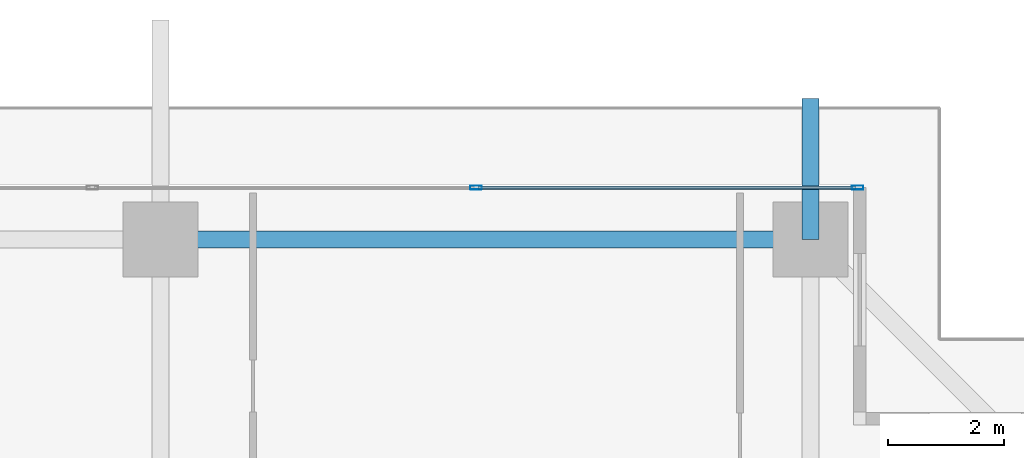
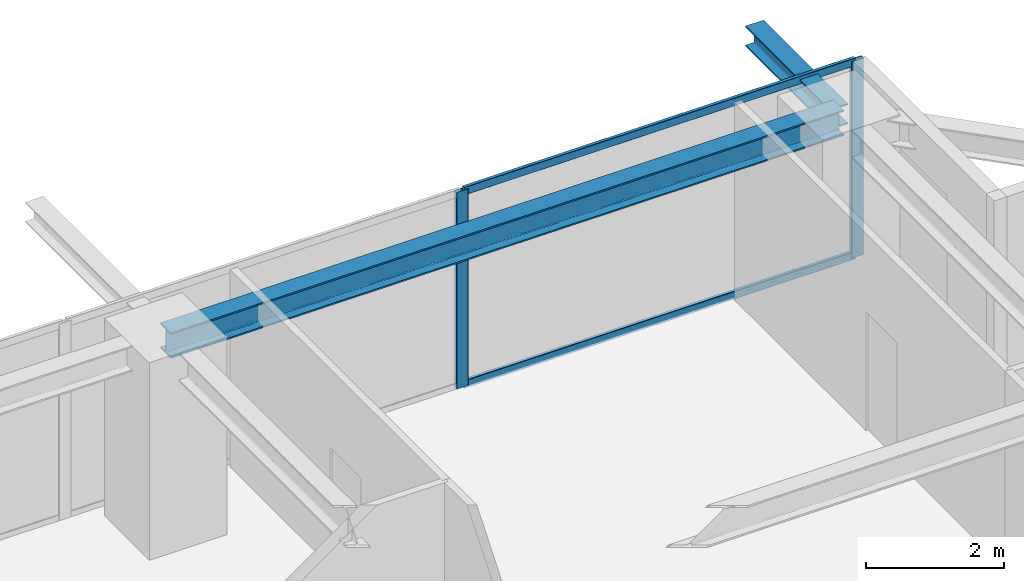
# One storey, part 25 of 37: 4 members, 2 beams, 1 element without a shape of its own.
"""IFC4 building model written with IfcOpenShell, lengths in metres."""

from ifc_helpers import new_model, si_unit, direction, frame, origin, origin_2d, place, context, subcontext, project, spatial, hollow_rectangle, i_section, extrude, source, transform, mapped, material, layer, layer_set, material_profile, profile_set, type_object, element, aggregate, save


model = new_model("IFC4")

# Units and contexts
model_context = context("Model", 3, precision=1e-05, world=origin(), true_north=direction((0.0, 1.0)))
body_context = subcontext(model_context, "Body", "Model", "MODEL_VIEW")
ifc_project = project(units=[si_unit("LENGTHUNIT", "METRE"), si_unit("AREAUNIT", "SQUARE_METRE"), si_unit("VOLUMEUNIT", "CUBIC_METRE"), si_unit("PLANEANGLEUNIT", "RADIAN"), si_unit("MASSUNIT", "GRAM", prefix="KILO")], contexts=[model_context])

# Site, building, storey
site_placement = place(None, origin())
site = spatial("IfcSite", under=ifc_project, at=site_placement, CompositionType="ELEMENT")
building_placement = place(site_placement, origin())
building = spatial("IfcBuilding", under=site, at=building_placement, Name="Serunith Strait Residences", CompositionType="ELEMENT")
storey_placement = place(building_placement, frame((0.0, 0.0, 161.39990234375)))
storey = spatial("IfcBuildingStorey", under=building, at=storey_placement, Name="L40", CompositionType="ELEMENT", Elevation=161.39990234375)

# Beams
ifc_material_1 = material(Name="Steel S355J2", Category="steel")
ifc_material_profile_1 = material_profile(ifc_material_1, i_section(OverallWidth=0.300048828125, OverallDepth=0.449951171875, WebThickness=0.013916015625, FlangeThickness=0.02587890625, FilletRadius=0.027099609375, at=origin_2d()), Name="HEB 450")
ifc_profile_set_1 = profile_set([ifc_material_profile_1], Name="Steel S355J2")
beam_type_1 = type_object("IfcBeamType", Name="BM-HEB450", PredefinedType="BEAM", material=ifc_profile_set_1)
shared_shape_1 = source(origin(), body_context, "Body", "SweptSolid", [
    extrude(i_section(OverallWidth=0.300048828125, OverallDepth=0.449951171875, WebThickness=0.013916015625, FlangeThickness=0.02587890625, FilletRadius=0.027099609375, at=origin_2d()), origin(), (0.0, 0.0, 1.0), 11.25),
])
beam_1_placement = place(storey_placement, frame((48.14990234375, 48.10009765625, 3.26220703125), z_axis=(-1.0, 0.0, 0.0), x_axis=(0.0, -1.0, 0.0)))
element("IfcBeam", 1, at=beam_1_placement, inside=storey, type_object=beam_type_1, Name="L40 Perimeter Ring Beam 09", PredefinedType="BEAM", context=body_context, shape_type="MappedRepresentation", body=[
    mapped(shared_shape_1, transform((0.0, 0.0, 0.0), scale=1.0)),
])
ifc_material_profile_2 = material_profile(ifc_material_1, i_section(OverallWidth=0.300048828125, OverallDepth=0.360107421875, WebThickness=0.012451171875, FlangeThickness=0.0224609375, FilletRadius=0.027099609375, at=origin_2d()), Name="HEB 360")
ifc_profile_set_2 = profile_set([ifc_material_profile_2], Name="Steel S355J2")
beam_type_2 = type_object("IfcBeamType", Name="BM-HEB360", PredefinedType="BEAM", material=ifc_profile_set_2)
shared_shape_2 = source(origin(), body_context, "Body", "SweptSolid", [
    extrude(i_section(OverallWidth=0.300048828125, OverallDepth=0.360107421875, WebThickness=0.012451171875, FlangeThickness=0.0224609375, FilletRadius=0.027099609375, at=origin_2d()), origin(), (0.0, 0.0, 1.0), 2.43798828125),
])
beam_2_placement = place(storey_placement, frame((48.14990234375, 48.10009765625, 3.277099609375), z_axis=(0.0, 1.0, 0.0), x_axis=(-1.0, 0.0, 0.0)))
element("IfcBeam", 2, at=beam_2_placement, inside=storey, type_object=beam_type_2, Name="L41 Cantilevered Balcony Rib TC-N4", PredefinedType="BEAM", context=body_context, shape_type="MappedRepresentation", body=[
    mapped(shared_shape_2, transform((0.0, 0.0, 0.0), scale=1.0)),
])

# Curtain wall, members
ifc_material_2 = material(Name="Pale-Champagne Anodised Aluminium", Category="aluminium")
ifc_layer = layer(ifc_material_2, 0.199951171875, Name="Pale-Champagne Anodised Aluminium")
ifc_layer_set = layer_set([ifc_layer], Name="Pale-Champagne Anodised Aluminium")
curtain_wall_type = type_object("IfcCurtainWallType", Name="CW-SYS2", PredefinedType="NOTDEFINED", material=ifc_layer_set)
curtain_wall_placement = place(storey_placement, origin())
curtain_wall = element("IfcCurtainWall", 3, at=curtain_wall_placement, inside=storey, type_object=curtain_wall_type, Name="L40 N Unitised Fritted Curtain Wall", PredefinedType="NOTDEFINED")
ifc_material_profile_3 = material_profile(ifc_material_2, hollow_rectangle(XDim=0.070068359375, YDim=0.199951171875, WallThickness=0.00390625, InnerFilletRadius=0.006103515625, OuterFilletRadius=0.010009765625, at=origin_2d()), Name="ALU 200x70x4")
ifc_profile_set_3 = profile_set([ifc_material_profile_3], Name="Pale-Champagne Anodised Aluminium")
member_type_1 = type_object("IfcMemberType", Name="CW-SYS2-MULL", PredefinedType="MULLION", material=ifc_profile_set_3)
shared_shape_3 = source(origin(), body_context, "Body", "SweptSolid", [
    extrude(hollow_rectangle(XDim=0.070068359375, YDim=0.199951171875, WallThickness=0.00390625, InnerFilletRadius=0.006103515625, OuterFilletRadius=0.010009765625, at=origin_2d()), origin(), (0.0, 0.0, 1.0), 3.47509765625),
])
member_1_placement = place(storey_placement, frame((48.965087890625, 49.0, 0.0), z_axis=(0.0, 0.0, 1.0), x_axis=(0.0, -1.0, 0.0)))
member_1 = element("IfcMember", 4, at=member_1_placement, type_object=member_type_1, Name="CW-2 mullion 1", PredefinedType="MULLION", context=body_context, shape_type="MappedRepresentation", body=[
    mapped(shared_shape_3, transform((0.0, 0.0, 0.0), scale=1.0)),
])
member_2_placement = place(storey_placement, frame((42.360107421875, 49.0, 0.0), z_axis=(0.0, 0.0, 1.0), x_axis=(0.0, -1.0, 0.0)))
member_2 = element("IfcMember", 5, at=member_2_placement, type_object=member_type_1, Name="CW-2 mullion 2", PredefinedType="MULLION", context=body_context, shape_type="MappedRepresentation", body=[
    mapped(shared_shape_3, transform((0.0, 0.0, 0.0), scale=1.0)),
])
ifc_material_profile_4 = material_profile(ifc_material_2, hollow_rectangle(XDim=0.06005859375, YDim=0.139892578125, WallThickness=0.00341796875, InnerFilletRadius=0.00537109375, OuterFilletRadius=0.0087890625, at=origin_2d()), Name="ALU 140x60x3.5")
ifc_profile_set_4 = profile_set([ifc_material_profile_4], Name="Pale-Champagne Anodised Aluminium")
member_type_2 = type_object("IfcMemberType", Name="CW-SYS2-TRAN", PredefinedType="USERDEFINED", material=ifc_profile_set_4)
shared_shape_4 = source(origin(), body_context, "Body", "SweptSolid", [
    extrude(hollow_rectangle(XDim=0.06005859375, YDim=0.139892578125, WallThickness=0.00341796875, InnerFilletRadius=0.00537109375, OuterFilletRadius=0.0087890625, at=origin_2d()), origin(), (0.0, 0.0, 1.0), 6.534912109375),
])
member_3_placement = place(storey_placement, frame((48.929931640625, 49.0, 0.030029296875), z_axis=(-1.0, 0.0, 0.0), x_axis=(0.0, -1.0, 0.0)))
member_3 = element("IfcMember", 6, at=member_3_placement, type_object=member_type_2, Name="CW-2 transom 1.1", ObjectType="TRANSOM", PredefinedType="USERDEFINED", context=body_context, shape_type="MappedRepresentation", body=[
    mapped(shared_shape_4, transform((0.0, 0.0, 0.0), scale=1.0)),
])
member_4_placement = place(storey_placement, frame((48.929931640625, 49.0, 3.445068359375), z_axis=(-1.0, 0.0, 0.0), x_axis=(0.0, -1.0, 0.0)))
member_4 = element("IfcMember", 7, at=member_4_placement, type_object=member_type_2, Name="CW-2 transom 1.2", ObjectType="TRANSOM", PredefinedType="USERDEFINED", context=body_context, shape_type="MappedRepresentation", body=[
    mapped(shared_shape_4, transform((0.0, 0.0, 0.0), scale=1.0)),
])
aggregate(curtain_wall, [member_1, member_2, member_3, member_4])

save(model, "model.ifc")
